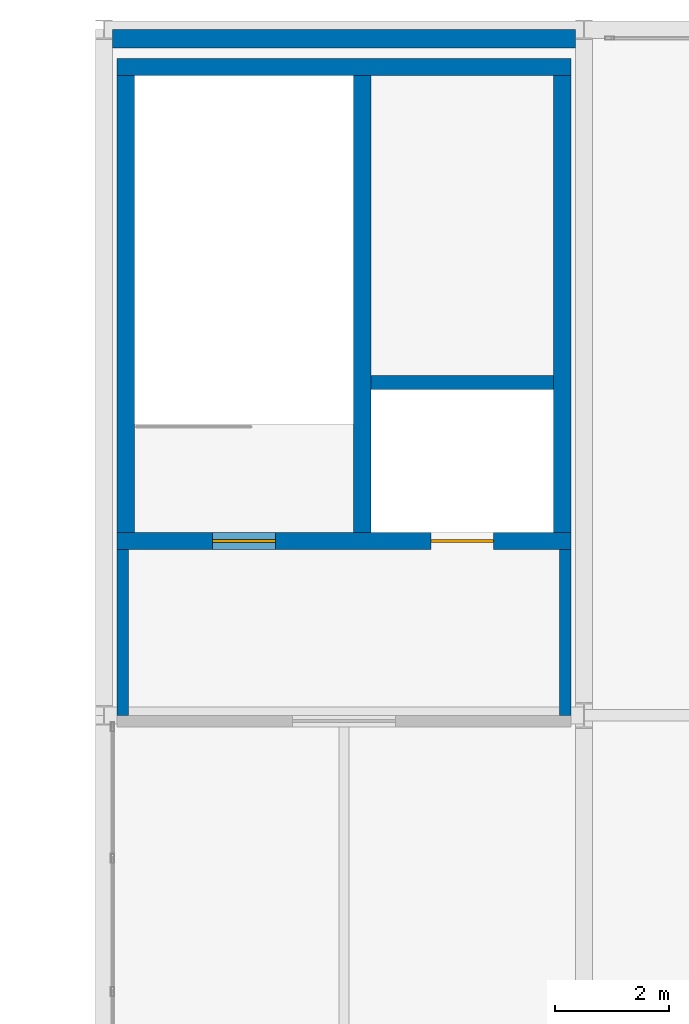
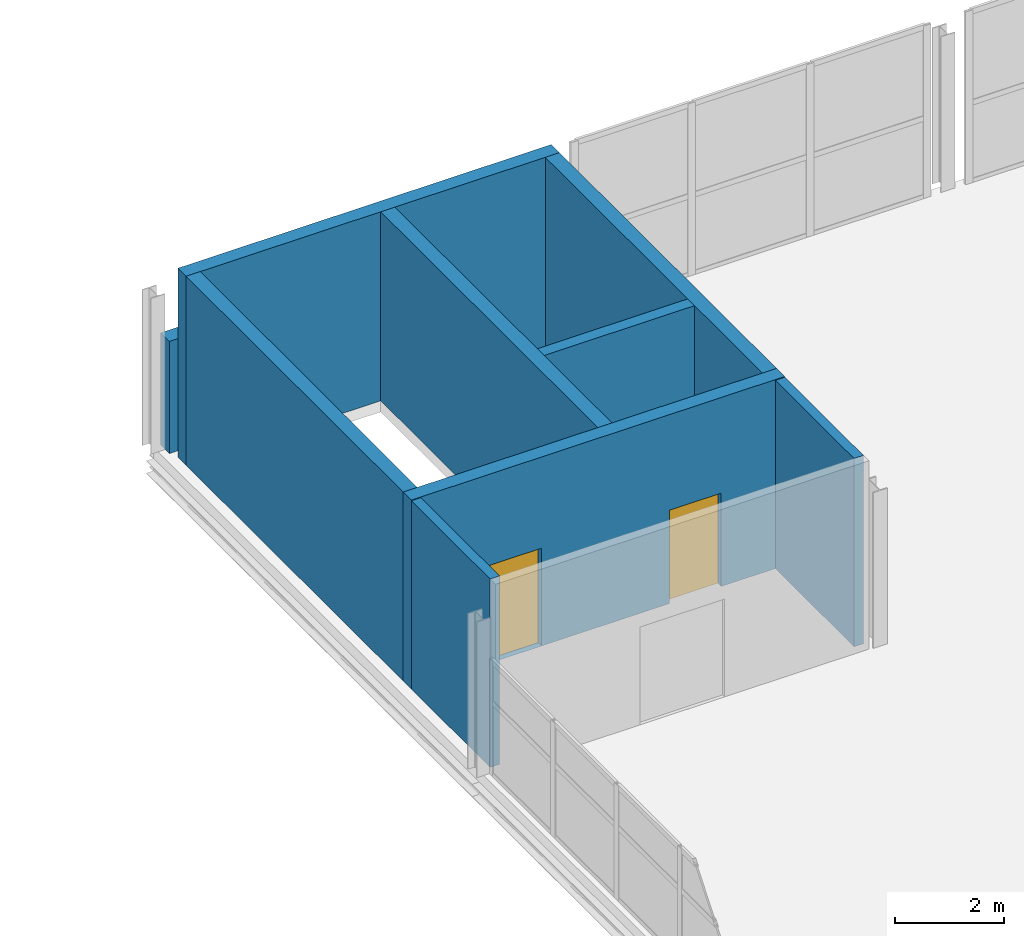
# One storey, part 95 of 103: 9 walls, 2 doors, 2 openings.
"""IFC4 building model written with IfcOpenShell, lengths in metres."""

from ifc_helpers import new_model, si_unit, direction, frame, frame_2d, origin, place, context, subcontext, project, spatial, rectangle, extrude, material, layer, layer_set, type_object, element, fill, save


model = new_model("IFC4")

# Units and contexts
model_context = context("Model", 3, precision=1e-05, world=origin(), true_north=direction((0.0, 1.0)))
body_context = subcontext(model_context, "Body", "Model", "MODEL_VIEW")
ifc_project = project(units=[si_unit("LENGTHUNIT", "METRE"), si_unit("AREAUNIT", "SQUARE_METRE"), si_unit("VOLUMEUNIT", "CUBIC_METRE"), si_unit("PLANEANGLEUNIT", "RADIAN"), si_unit("MASSUNIT", "GRAM", prefix="KILO")], contexts=[model_context])

# Site, building, storey
site_placement = place(None, origin())
site = spatial("IfcSite", under=ifc_project, at=site_placement, CompositionType="ELEMENT")
building_placement = place(site_placement, origin())
building = spatial("IfcBuilding", under=site, at=building_placement, Name="Veltarok Museum of Natural Sciences", CompositionType="ELEMENT")
storey_placement = place(building_placement, frame((0.0, 0.0, 21.89990234375)))
storey = spatial("IfcBuildingStorey", under=building, at=storey_placement, Name="L04", CompositionType="ELEMENT", Elevation=21.89990234375)

# Walls
ifc_material_1 = material(Name="Concrete C35/45", Category="concrete")
ifc_layer_1 = layer(ifc_material_1, 0.199951171875)
ifc_layer_set_1 = layer_set([ifc_layer_1], Name="Concrete C35/45")
wall_type_1 = type_object("IfcWallType", Name="Firefighting Lobby Compartment Wall 200", PredefinedType="SOLIDWALL", material=ifc_layer_set_1)
for number, where, z_axis, x_axis, name in (
    (1, (40.330078125, 60.0, 0.0), (0.0, 0.0, 1.0), (0.0, 1.0, 0.0), "Firefighting Lobby Wall C3 L04 W"),
    (2, (48.070068359375, 62.89990234375, 0.0), (0.0, 0.0, 1.0), (0.0, -1.0, 0.0), "Firefighting Lobby Wall C3 L04 E"),
):
    element("IfcWall", number, at=place(storey_placement, frame(where, z_axis=z_axis, x_axis=x_axis)), inside=storey, type_object=wall_type_1, Name=name, PredefinedType="SOLIDWALL", context=body_context, shape_type="SweptSolid", body=[
        extrude(rectangle(XDim=2.89990234375, YDim=0.199951171875, at=frame_2d((1.449951171875, 0.0))), origin(), (0.0, 0.0, 1.0), 4.235107421875),
    ])
ifc_material_2 = material(Name="Precast concrete C40/50", Category="concrete")
ifc_layer_2 = layer(ifc_material_2, 0.320068359375)
ifc_layer_set_2 = layer_set([ifc_layer_2], Name="Precast concrete C40/50")
wall_type_2 = type_object("IfcWallType", Name="Insulated Precast Facade Wall 320", PredefinedType="SOLIDWALL", material=ifc_layer_set_2)
wall_1_placement = place(storey_placement, frame((48.25, 71.840087890625, 0.0), z_axis=(0.0, 0.0, 1.0), x_axis=(-1.0, 0.0, 0.0)))
element("IfcWall", 3, at=wall_1_placement, inside=storey, type_object=wall_type_2, Name="Core C3 North Exterior Facade Wall L04", PredefinedType="SOLIDWALL", context=body_context, shape_type="SweptSolid", body=[
    extrude(rectangle(XDim=8.10009765625, YDim=0.320068359375, at=frame_2d((4.050048828125, 0.0))), origin(), (0.0, 0.0, 1.0), 2.52001953125),
])
ifc_material_3 = material(Name="Concrete C40/50", Category="concrete")
ifc_layer_3 = layer(ifc_material_3, 0.25)
ifc_layer_set_3 = layer_set([ifc_layer_3], Name="Concrete C40/50")
wall_type_3 = type_object("IfcWallType", Name="Lift Shaft Concrete Shear Wall 250", PredefinedType="SHEAR", material=ifc_layer_set_3)
wall_2_placement = place(storey_placement, frame((44.669921875, 65.824951171875, 0.0), z_axis=(0.0, 0.0, 1.0), x_axis=(1.0, 0.0, 0.0)))
element("IfcWall", 4, at=wall_2_placement, inside=storey, type_object=wall_type_3, Name="Lift Shaft Back Wall C3 L04", PredefinedType="SHEAR", context=body_context, shape_type="SweptSolid", body=[
    extrude(rectangle(XDim=3.2001953125, YDim=0.25, at=frame_2d((1.60009765625, 0.0))), origin(), (0.0, 0.0, 1.0), 4.25),
])

# Wall, openings, doors
ifc_layer_4 = layer(ifc_material_3, 0.300048828125)
ifc_layer_set_4 = layer_set([ifc_layer_4], Name="Concrete C40/50")
wall_type_4 = type_object("IfcWallType", Name="Protected Core Shear Wall 300", PredefinedType="SHEAR", material=ifc_layer_set_4)
wall_3_placement = place(storey_placement, frame((40.22998046875, 63.050048828125, 0.0), z_axis=(0.0, 0.0, 1.0), x_axis=(1.0, 0.0, 0.0)))
wall_3 = element("IfcWall", 5, at=wall_3_placement, inside=storey, type_object=wall_type_4, Name="Core Shear Wall C3 L04 S", PredefinedType="SHEAR", context=body_context, shape_type="SweptSolid", body=[
    extrude(rectangle(XDim=7.93994140625, YDim=0.300048828125, at=frame_2d((3.969970703125, 0.0))), origin(), (0.0, 0.0, 1.0), 4.25),
])
opening_1_placement = place(wall_3_placement, frame((1.669921875, 0.0, 0.0)))
opening_1 = element("IfcOpeningElement", 6, at=opening_1_placement, cuts=wall_3, Name="Opening D-L04-061", PredefinedType="OPENING", context=body_context, shape_type="SweptSolid", body=[
    extrude(rectangle(XDim=1.10009765625, YDim=2.199951171875, at=frame_2d((0.550048828125, 1.10009765625))), frame((0.0, 0.16015625, 0.0), z_axis=(0.0, -1.0, 0.0), x_axis=(1.0, 0.0, 0.0)), (0.0, 0.0, 1.0), 0.320068359375),
])
opening_2_placement = place(wall_3_placement, frame((5.489990234375, 0.0, 0.0)))
opening_2 = element("IfcOpeningElement", 7, at=opening_2_placement, cuts=wall_3, Name="Opening LD-L04-LP-03", PredefinedType="OPENING", context=body_context, shape_type="SweptSolid", body=[
    extrude(rectangle(XDim=1.10009765625, YDim=2.10009765625, at=frame_2d((0.550048828125, 1.050048828125))), frame((0.0, 0.16015625, 0.0), z_axis=(0.0, -1.0, 0.0), x_axis=(1.0, 0.0, 0.0)), (0.0, 0.0, 1.0), 0.320068359375),
])
ifc_material_4 = material(Name="Fire-rated painted steel", Category="steel")
door_type_1 = type_object("IfcDoorType", Name="Fire Core Single Escape Door 1100x2200", OperationType="NOTDEFINED", PredefinedType="DOOR", material=ifc_material_4)
door_1_placement = place(opening_1_placement, origin())
door_1 = element("IfcDoor", 8, at=door_1_placement, inside=storey, type_object=door_type_1, Name="Protected Stair Door ST-03 L04", OperationType="SINGLE_SWING_LEFT", OverallHeight=2.199951171875, OverallWidth=1.10009765625, PredefinedType="DOOR", context=body_context, shape_type="SweptSolid", body=[
    extrude(rectangle(XDim=1.10009765625, YDim=2.199951171875, at=frame_2d((0.550048828125, 1.10009765625))), frame((0.0, 0.02490234375, 0.0), z_axis=(0.0, -1.0, 0.0), x_axis=(1.0, 0.0, 0.0)), (0.0, 0.0, 1.0), 0.050048828125),
])
fill(opening_1, door_1)
ifc_material_5 = material(Name="Brushed stainless steel", Category="steel")
door_type_2 = type_object("IfcDoorType", Name="Passenger and Firefighting Lift Landing Door 1100x2100", OperationType="SLIDING_TO_LEFT", PredefinedType="DOOR", material=ifc_material_5)
door_2_placement = place(opening_2_placement, origin())
door_2 = element("IfcDoor", 9, at=door_2_placement, inside=storey, type_object=door_type_2, Name="Sliding Lift Landing Door LD-L04-LP-03", OperationType="SLIDING_TO_LEFT", OverallHeight=2.10009765625, OverallWidth=1.10009765625, PredefinedType="DOOR", context=body_context, shape_type="SweptSolid", body=[
    extrude(rectangle(XDim=1.10009765625, YDim=2.10009765625, at=frame_2d((0.550048828125, 1.050048828125))), frame((0.0, 0.02490234375, 0.0), z_axis=(0.0, -1.0, 0.0), x_axis=(1.0, 0.0, 0.0)), (0.0, 0.0, 1.0), 0.050048828125),
])
fill(opening_2, door_2)

# Walls
wall_4_placement = place(storey_placement, frame((48.169921875, 71.35009765625, 0.0), z_axis=(0.0, 0.0, 1.0), x_axis=(-1.0, 0.0, 0.0)))
element("IfcWall", 10, at=wall_4_placement, inside=storey, type_object=wall_type_4, Name="Core Shear Wall C3 L04 N", PredefinedType="SHEAR", context=body_context, shape_type="SweptSolid", body=[
    extrude(rectangle(XDim=7.93994140625, YDim=0.300048828125, at=frame_2d((3.969970703125, 0.0))), origin(), (0.0, 0.0, 1.0), 4.25),
])
for number, where, z_axis, x_axis, name in (
    (11, (40.3798828125, 71.199951171875, 0.0), (0.0, 0.0, 1.0), (0.0, -1.0, 0.0), "Core Shear Wall C3 L04 W"),
    (12, (48.02001953125, 63.199951171875, 0.0), (0.0, 0.0, 1.0), (0.0, 1.0, 0.0), "Core Shear Wall C3 L04 E"),
    (13, (44.52001953125, 63.199951171875, 0.0), (0.0, 0.0, 1.0), (0.0, 1.0, 0.0), "Core Shear Wall C3 L04 DIV"),
):
    element("IfcWall", number, at=place(storey_placement, frame(where, z_axis=z_axis, x_axis=x_axis)), inside=storey, type_object=wall_type_4, Name=name, PredefinedType="SHEAR", context=body_context, shape_type="SweptSolid", body=[
        extrude(rectangle(XDim=8.0, YDim=0.300048828125, at=frame_2d((4.0, 0.0))), origin(), (0.0, 0.0, 1.0), 4.25),
    ])

save(model, "model.ifc")
